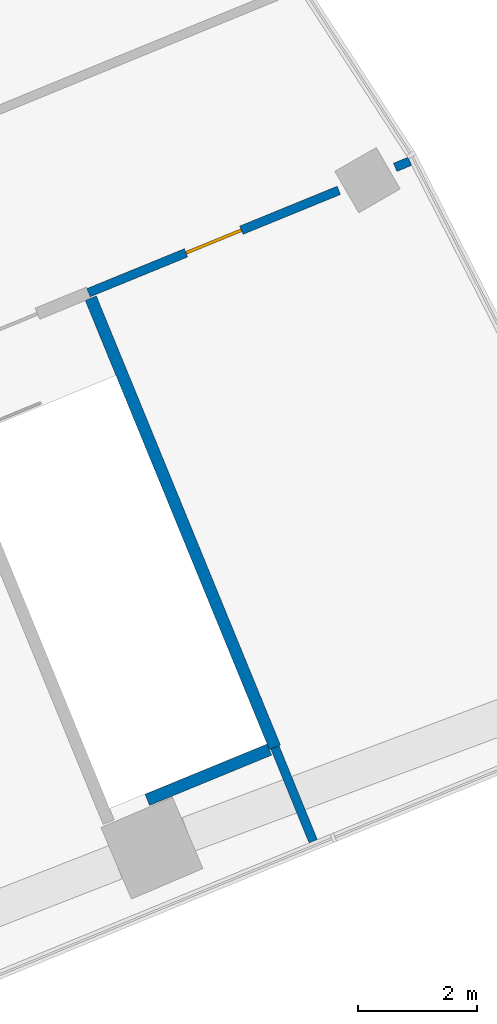
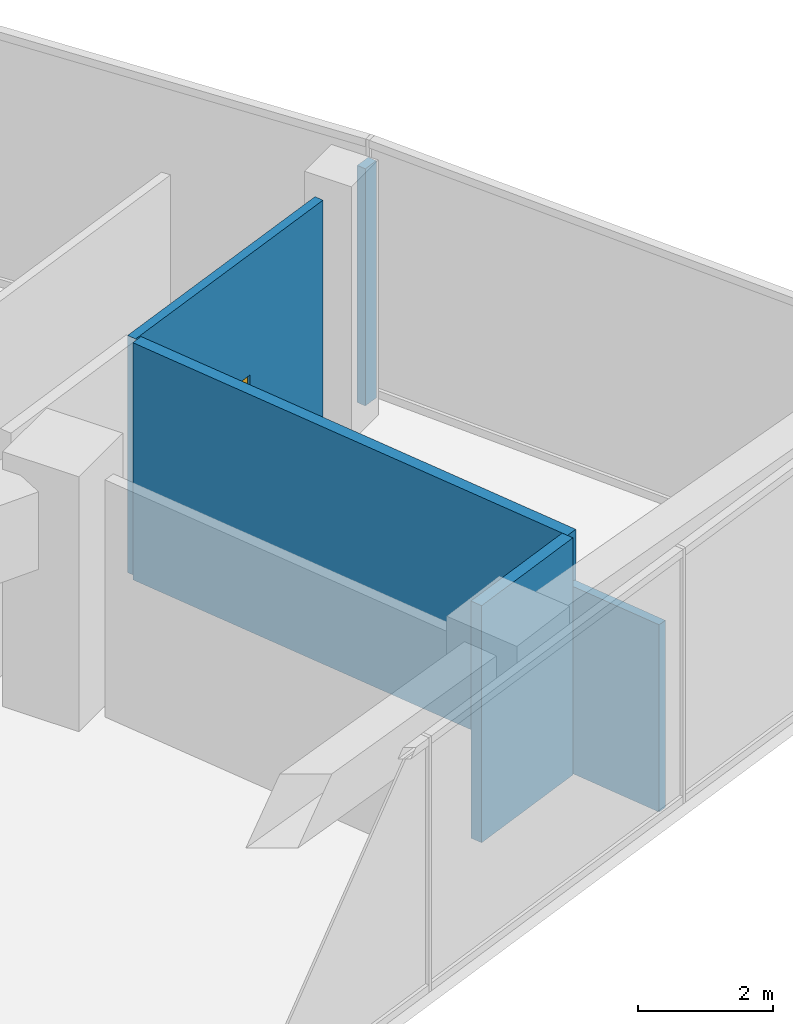
# One storey, part 29 of 33: 5 walls, 1 door, 1 opening.
"""IFC4 building model written with IfcOpenShell, lengths in metres."""

from ifc_helpers import new_model, si_unit, direction, frame, frame_2d, origin, place, context, subcontext, project, spatial, rectangle, extrude, material, layer, layer_set, type_object, element, fill, save


model = new_model("IFC4")

# Units and contexts
model_context = context("Model", 3, precision=1e-05, world=origin(), true_north=direction((0.0, 1.0)))
body_context = subcontext(model_context, "Body", "Model", "MODEL_VIEW")
ifc_project = project(units=[si_unit("LENGTHUNIT", "METRE"), si_unit("AREAUNIT", "SQUARE_METRE"), si_unit("VOLUMEUNIT", "CUBIC_METRE"), si_unit("PLANEANGLEUNIT", "RADIAN"), si_unit("MASSUNIT", "GRAM", prefix="KILO")], contexts=[model_context])

# Site, building, storey
site_placement = place(None, origin())
site = spatial("IfcSite", under=ifc_project, at=site_placement, CompositionType="ELEMENT")
building_placement = place(site_placement, origin())
building = spatial("IfcBuilding", under=site, at=building_placement, Name="Stone Belt Terrace Tower", CompositionType="ELEMENT")
storey_placement = place(building_placement, frame((0.0, 0.0, 25.39990234375)))
storey = spatial("IfcBuildingStorey", under=building, at=storey_placement, Name="L05", CompositionType="ELEMENT", Elevation=25.39990234375)

# Wall, opening, door
ifc_material_1 = material(Name="Gypsum board on steel stud partition", Category="steel")
ifc_layer_1 = layer(ifc_material_1, 0.14990234375)
ifc_layer_set_1 = layer_set([ifc_layer_1], Name="Podium partition 150")
wall_type_1 = type_object("IfcWallType", Name="Podium partition 150", PredefinedType="PARTITIONING", material=ifc_layer_set_1)
wall_1_placement = place(storey_placement, frame((59.18017578125, 34.97998046875, 0.0), z_axis=(0.0, 0.0, 1.0), x_axis=(0.925603654014, 0.378494221458, 0.0)))
wall_1 = element("IfcWall", 1, at=wall_1_placement, inside=storey, type_object=wall_type_1, Name="Podium partition 150", PredefinedType="PARTITIONING", context=body_context, shape_type="SweptSolid", body=[
    extrude(rectangle(XDim=4.526123046875, YDim=0.14990234375, at=frame_2d((2.26318359375, 0.0))), origin(), (0.0, 0.0, 1.0), 4.280029296875),
])
opening_placement = place(wall_1_placement, frame((1.76318359375, 0.0, 0.0)))
opening = element("IfcOpeningElement", 2, at=opening_placement, cuts=wall_1, Name="Opening L05-P24", PredefinedType="OPENING", context=body_context, shape_type="SweptSolid", body=[
    extrude(rectangle(XDim=1.0, YDim=2.10009765625, at=frame_2d((0.5, 1.050048828125))), frame((0.0, 0.0849609375, 0.0), z_axis=(0.0, -1.0, 0.0), x_axis=(1.0, 0.0, 0.0)), (0.0, 0.0, 1.0), 0.169921875),
])
ifc_material_2 = material(Name="Steel framed door leaf", Category="steel")
door_type = type_object("IfcDoorType", Name="Podium door single 1000", OperationType="SINGLE_SWING_LEFT", PredefinedType="DOOR", material=ifc_material_2)
door_placement = place(opening_placement, origin())
door = element("IfcDoor", 3, at=door_placement, inside=storey, type_object=door_type, Name="Podium door single 1000", OperationType="SINGLE_SWING_RIGHT", OverallHeight=2.10009765625, OverallWidth=1.0, PredefinedType="DOOR", context=body_context, shape_type="SweptSolid", body=[
    extrude(rectangle(XDim=1.0, YDim=2.10009765625, at=frame_2d((0.5, 1.050048828125))), frame((0.0, 0.02490234375, 0.0), z_axis=(0.0, -1.0, 0.0), x_axis=(1.0, 0.0, 0.0)), (0.0, 0.0, 1.0), 0.050048828125),
])
fill(opening, door)

# Walls
wall_2_placement = place(storey_placement, frame((64.312744140625, 37.078857421875, 0.0), z_axis=(0.0, 0.0, 1.0), x_axis=(0.92567790555, 0.378312589238, 0.0)))
element("IfcWall", 4, at=wall_2_placement, inside=storey, type_object=wall_type_1, Name="Podium partition 150", PredefinedType="PARTITIONING", context=body_context, shape_type="SweptSolid", body=[
    extrude(rectangle(XDim=0.26708984375, YDim=0.14990234375, at=frame_2d((0.133544921875, 0.0))), origin(), (0.0, 0.0, 1.0), 4.280029296875),
])
wall_3_placement = place(storey_placement, frame((62.300048828125, 27.369873046875, 0.0), z_axis=(0.0, 0.0, 1.0), x_axis=(0.377466142262, -0.926023386015, 0.0)))
element("IfcWall", 5, at=wall_3_placement, inside=storey, type_object=wall_type_1, Name="Podium partition 150", PredefinedType="PARTITIONING", context=body_context, shape_type="SweptSolid", body=[
    extrude(rectangle(XDim=1.6953125, YDim=0.14990234375, at=frame_2d((0.84765625, 0.0))), origin(), (0.0, 0.0, 1.0), 3.380126953125),
])
ifc_material_3 = material(Name="Concrete B30", Category="concrete")
ifc_layer_2 = layer(ifc_material_3, 0.199951171875)
ifc_layer_set_2 = layer_set([ifc_layer_2], Name="Podium stair and shaft wall 200")
wall_type_2 = type_object("IfcWallType", Name="Podium stair and shaft wall 200", PredefinedType="SOLIDWALL", material=ifc_layer_set_2)
wall_4_placement = place(storey_placement, frame((59.218017578125, 34.887451171875, 0.0), z_axis=(0.0, 0.0, 1.0), x_axis=(0.379345306329, -0.925255174839, 0.0)))
element("IfcWall", 6, at=wall_4_placement, inside=storey, type_object=wall_type_2, Name="Podium stair and shaft wall 200", PredefinedType="SOLIDWALL", context=body_context, shape_type="SweptSolid", body=[
    extrude(rectangle(XDim=8.12451171875, YDim=0.199951171875, at=frame_2d((4.062255859375, 0.0))), origin(), (0.0, 0.0, 1.0), 4.280029296875),
])
wall_5_placement = place(storey_placement, frame((60.163818359375, 26.4912109375, 0.0), z_axis=(0.0, 0.0, 1.0), x_axis=(0.924790168115, 0.380477522278, 0.0)))
element("IfcWall", 7, at=wall_5_placement, inside=storey, type_object=wall_type_2, Name="Podium stair and shaft wall 200", PredefinedType="SOLIDWALL", context=body_context, shape_type="SweptSolid", body=[
    extrude(rectangle(XDim=2.2099609375, YDim=0.199951171875, at=frame_2d((1.10498046875, 0.0))), origin(), (0.0, 0.0, 1.0), 4.280029296875),
])

save(model, "model.ifc")
